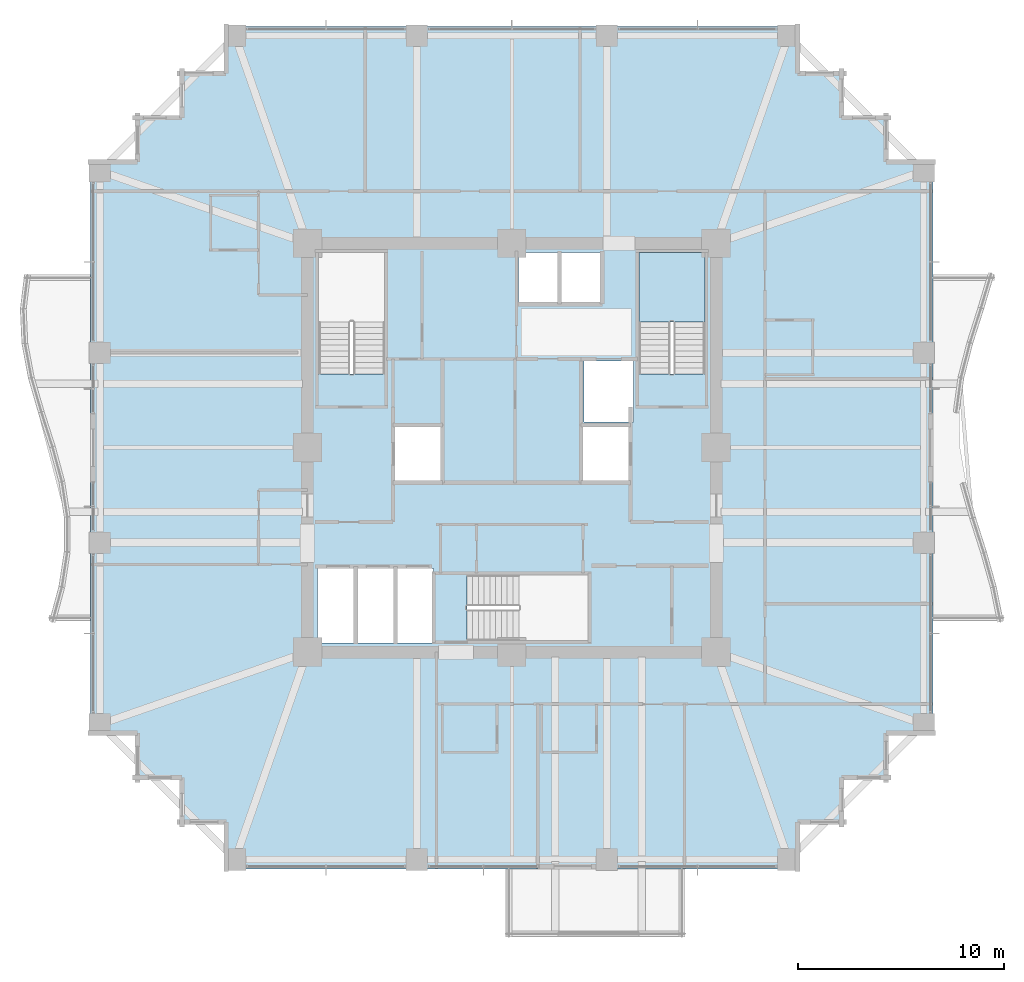
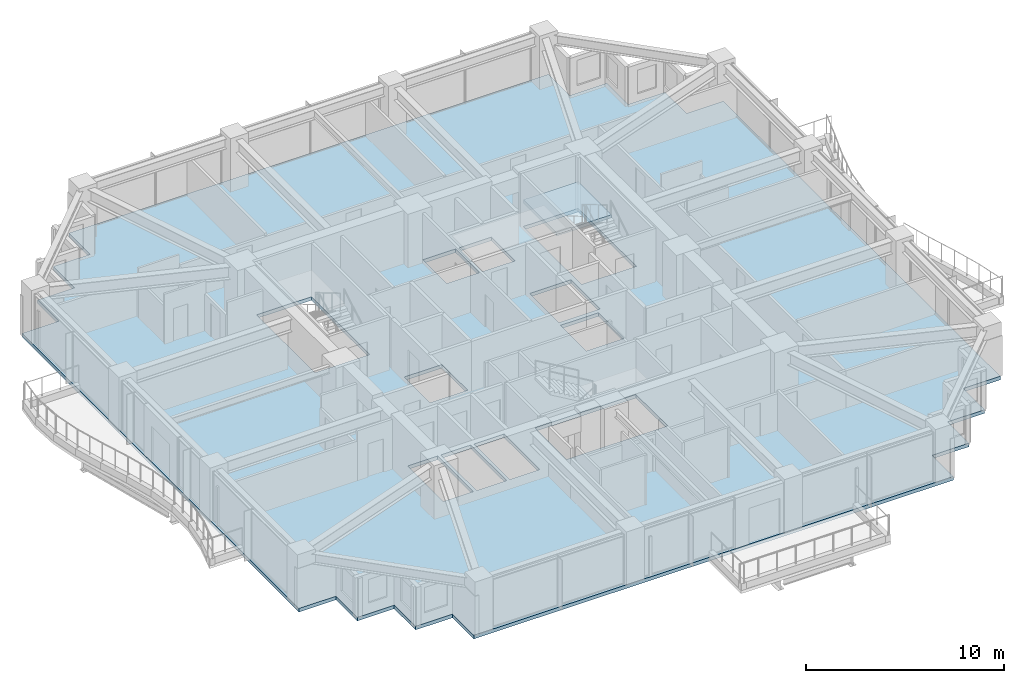
# One storey, part 27 of 38: 2 slabs, 1 element without a shape of its own.
"""IFC4 building model written with IfcOpenShell, lengths in metres."""

from ifc_helpers import new_model, si_unit, direction, frame, origin, place, context, subcontext, project, spatial, polyline, outline, extrude, material, layer, layer_set, type_object, element, aggregate, save


model = new_model("IFC4")

# Units and contexts
model_context = context("Model", 3, precision=1e-05, world=origin(), true_north=direction((0.0, 1.0)))
body_context = subcontext(model_context, "Body", "Model", "MODEL_VIEW")
ifc_project = project(units=[si_unit("LENGTHUNIT", "METRE"), si_unit("AREAUNIT", "SQUARE_METRE"), si_unit("VOLUMEUNIT", "CUBIC_METRE"), si_unit("PLANEANGLEUNIT", "RADIAN"), si_unit("MASSUNIT", "GRAM", prefix="KILO")], contexts=[model_context])

# Site, building, storey
site_placement = place(None, origin())
site = spatial("IfcSite", under=ifc_project, at=site_placement, CompositionType="ELEMENT")
building_placement = place(site_placement, origin())
building = spatial("IfcBuilding", under=site, at=building_placement, Name="Kolvaren Belvedere", CompositionType="ELEMENT")
storey_placement = place(building_placement, frame((0.0, 0.0, 101.89990234375)))
storey = spatial("IfcBuildingStorey", under=building, at=storey_placement, Name="L29", CompositionType="ELEMENT", Elevation=101.89990234375)

# Slab
ifc_material_1 = material(Name="Concrete C50/60", Category="concrete")
ifc_layer_1 = layer(ifc_material_1, 0.219970703125)
ifc_layer_set_1 = layer_set([ifc_layer_1], Name="Concrete C50/60")
slab_type_1 = type_object("IfcSlabType", Name="SL-FLR-220", PredefinedType="FLOOR", material=ifc_layer_set_1)
slab_1_placement = place(storey_placement, frame((0.0, 0.0, -0.219970703125)))
element("IfcSlab", 1, at=slab_1_placement, inside=storey, type_object=slab_type_1, Name="L29 Primary Structural Slab", PredefinedType="FLOOR", context=body_context, shape_type="SweptSolid", body=[
    extrude(outline(polyline([(-13.949951171875, -20.39990234375), (13.949951171875, -20.39990234375), (13.949951171875, -18.25), (16.10009765625, -18.25), (16.10009765625, -16.10009765625), (18.25, -16.10009765625), (18.25, -13.949951171875), (20.39990234375, -13.949951171875), (20.39990234375, 13.949951171875), (18.25, 13.949951171875), (18.25, 16.10009765625), (16.10009765625, 16.10009765625), (16.10009765625, 18.25), (13.949951171875, 18.25), (13.949951171875, 20.39990234375), (-13.949951171875, 20.39990234375), (-13.949951171875, 18.25), (-16.10009765625, 18.25), (-16.10009765625, 16.10009765625), (-18.25, 16.10009765625), (-18.25, 13.949951171875), (-20.39990234375, 13.949951171875), (-20.39990234375, -13.949951171875), (-18.25, -13.949951171875), (-18.25, -16.10009765625), (-16.10009765625, -16.10009765625), (-16.10009765625, -18.25), (-13.949951171875, -18.25), (-13.949951171875, -20.39990234375)]), holes=[polyline([(-9.35009765625, 3.580078125), (-6.159912109375, 3.580078125), (-6.159912109375, 9.449951171875), (-9.35009765625, 9.449951171875), (-9.35009765625, 3.580078125)]), polyline([(6.159912109375, 3.580078125), (9.35009765625, 3.580078125), (9.35009765625, 9.449951171875), (6.159912109375, 9.449951171875), (6.159912109375, 3.580078125)]), polyline([(-2.169921875, -9.35009765625), (3.699951171875, -9.35009765625), (3.699951171875, -6.159912109375), (-2.169921875, -6.159912109375), (-2.169921875, -9.35009765625)]), polyline([(-5.64990234375, -1.60009765625), (-3.449951171875, -1.60009765625), (-3.449951171875, 1.0), (-5.64990234375, 1.0), (-5.64990234375, -1.60009765625)]), polyline([(3.5, 1.25), (5.89990234375, 1.25), (5.89990234375, 4.199951171875), (3.5, 4.199951171875), (3.5, 1.25)]), polyline([(3.449951171875, -1.60009765625), (5.64990234375, -1.60009765625), (5.64990234375, 1.0), (3.449951171875, 1.0), (3.449951171875, -1.60009765625)]), polyline([(-9.39990234375, -9.449951171875), (-7.64990234375, -9.449951171875), (-7.64990234375, -5.85009765625), (-9.39990234375, -5.85009765625), (-9.39990234375, -9.449951171875)]), polyline([(-7.469970703125, -9.449951171875), (-5.719970703125, -9.449951171875), (-5.719970703125, -5.85009765625), (-7.469970703125, -5.85009765625), (-7.469970703125, -9.449951171875)]), polyline([(-5.5400390625, -9.449951171875), (-3.7900390625, -9.449951171875), (-3.7900390625, -5.85009765625), (-5.5400390625, -5.85009765625), (-5.5400390625, -9.449951171875)]), polyline([(0.320068359375, 7.050048828125), (2.219970703125, 7.050048828125), (2.219970703125, 9.449951171875), (0.320068359375, 9.449951171875), (0.320068359375, 7.050048828125)]), polyline([(2.39990234375, 7.050048828125), (4.300048828125, 7.050048828125), (4.300048828125, 9.449951171875), (2.39990234375, 9.449951171875), (2.39990234375, 7.050048828125)])]), origin(), (0.0, 0.0, 1.0), 0.219970703125),
])

# Stair, slab
ifc_material_2 = material(Name="Concrete C50/60", Category="concrete")
stair_type = type_object("IfcStairType", Name="ST-CORE-1520", PredefinedType="HALF_TURN_STAIR", material=ifc_material_2)
stair_placement = place(storey_placement, origin())
stair = element("IfcStair", 2, at=stair_placement, inside=storey, type_object=stair_type, Name="L29 Protected Exit Stair ST-2", PredefinedType="HALF_TURN_STAIR")
ifc_material_3 = material(Name="Concrete C50/60", Category="concrete")
ifc_layer_2 = layer(ifc_material_3, 0.260009765625)
ifc_layer_set_2 = layer_set([ifc_layer_2], Name="Concrete C50/60")
slab_type_2 = type_object("IfcSlabType", Name="SL-LAND-260", PredefinedType="LANDING", material=ifc_layer_set_2)
slab_2_placement = place(storey_placement, frame((0.0, 0.0, 1.4501953125)))
slab_2 = element("IfcSlab", 3, at=slab_2_placement, type_object=slab_type_2, Name="ST-2 landing 1", PredefinedType="LANDING", context=body_context, shape_type="SweptSolid", body=[
    extrude(outline(polyline([(9.35009765625, 6.090087890625), (9.35009765625, 9.449951171875), (6.159912109375, 9.449951171875), (6.159912109375, 6.090087890625), (9.35009765625, 6.090087890625)])), origin(), (0.0, 0.0, 1.0), 0.199951171875),
])
aggregate(stair, [slab_2])

save(model, "model.ifc")
